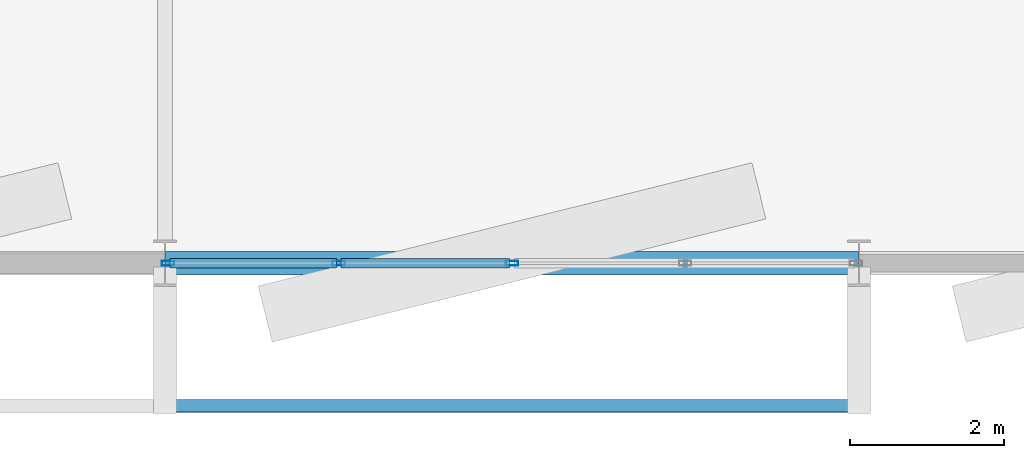
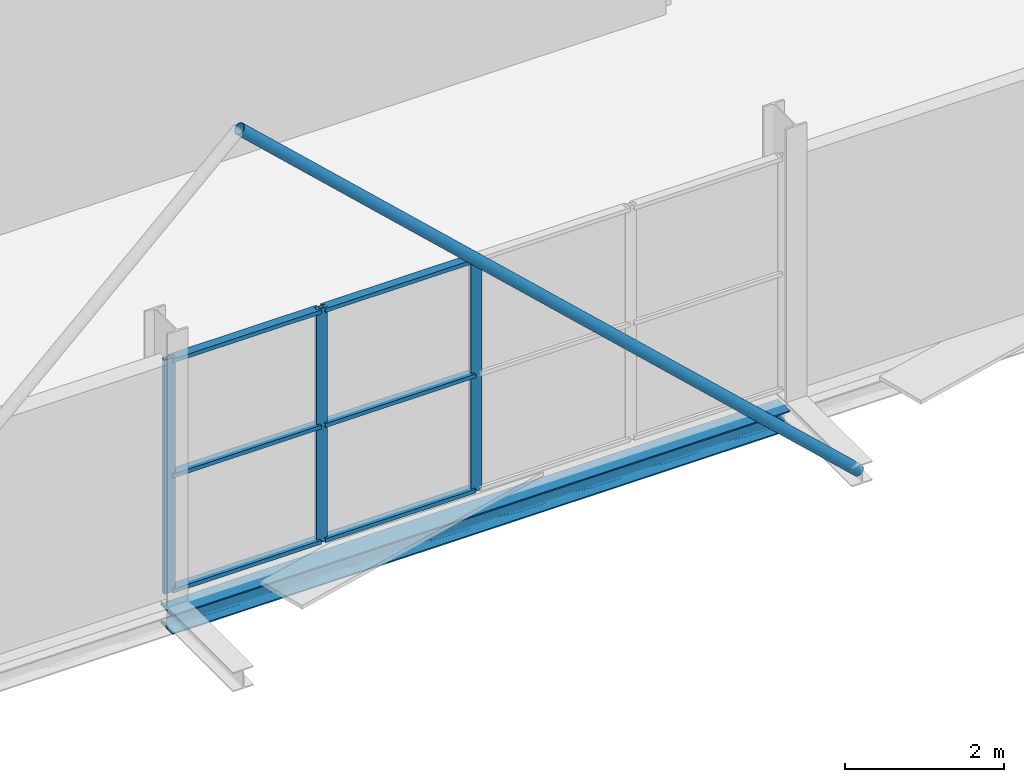
# One storey, part 46 of 103: 10 members, 1 beam, 1 element without a shape of its own.
"""IFC4 building model written with IfcOpenShell, lengths in metres."""

from ifc_helpers import new_model, si_unit, direction, frame, origin, origin_2d, place, context, subcontext, project, spatial, hollow_rectangle, hollow_circle, i_section, extrude, material, layer, layer_set, material_profile, profile_set, type_object, element, aggregate, save


model = new_model("IFC4")

# Units and contexts
model_context = context("Model", 3, precision=1e-05, world=origin(), true_north=direction((0.0, 1.0)))
body_context = subcontext(model_context, "Body", "Model", "MODEL_VIEW")
ifc_project = project(units=[si_unit("LENGTHUNIT", "METRE"), si_unit("AREAUNIT", "SQUARE_METRE"), si_unit("VOLUMEUNIT", "CUBIC_METRE"), si_unit("PLANEANGLEUNIT", "RADIAN"), si_unit("MASSUNIT", "GRAM", prefix="KILO")], contexts=[model_context])

# Site, building, storey
site_placement = place(None, origin())
site = spatial("IfcSite", under=ifc_project, at=site_placement, CompositionType="ELEMENT")
building_placement = place(site_placement, origin())
building = spatial("IfcBuilding", under=site, at=building_placement, Name="Deido Ridge Mobility Hub", CompositionType="ELEMENT")
storey_placement = place(building_placement, frame((0.0, 0.0, 12.60009765625)))
storey = spatial("IfcBuildingStorey", under=building, at=storey_placement, Name="L03", CompositionType="ELEMENT", Elevation=12.60009765625)

# Curtain wall, members
ifc_material_1 = material(Name="Anodised aluminium EN AW-6063 T6", Category="aluminium")
ifc_layer = layer(ifc_material_1, 0.195068359375, Name="Anodised aluminium EN AW-6063 T6")
ifc_layer_set = layer_set([ifc_layer], Name="Anodised aluminium EN AW-6063 T6")
curtain_wall_type = type_object("IfcCurtainWallType", Name="CW-UF-3", PredefinedType="USERDEFINED", material=ifc_layer_set)
curtain_wall_placement = place(storey_placement, origin())
curtain_wall = element("IfcCurtainWall", 1, at=curtain_wall_placement, inside=storey, type_object=curtain_wall_type, Name="Unitised curtain wall CW3", ObjectType="UNITISED FACADE", PredefinedType="USERDEFINED")
ifc_material_profile_1 = material_profile(ifc_material_1, hollow_rectangle(XDim=0.06005859375, YDim=0.159912109375, WallThickness=0.00390625, at=origin_2d()), Name="RHS 60x160x4")
ifc_profile_set_1 = profile_set([ifc_material_profile_1], Name="Anodised aluminium EN AW-6063 T6")
member_type_1 = type_object("IfcMemberType", Name="MEM-MUL-60X160", PredefinedType="MULLION", material=ifc_profile_set_1)
member_1_placement = place(storey_placement, frame((162.03759765625, 0.0, 0.0), z_axis=(0.0, 0.0, 1.0), x_axis=(0.0, 1.0, 0.0)))
member_1 = element("IfcMember", 2, at=member_1_placement, type_object=member_type_1, Name="CW3 mullion 1", PredefinedType="MULLION", context=body_context, shape_type="SweptSolid", body=[
    extrude(hollow_rectangle(XDim=0.06005859375, YDim=0.159912109375, WallThickness=0.00390625, at=origin_2d()), origin(), (0.0, 0.0, 1.0), 3.599853515625),
])
member_2_placement = place(storey_placement, frame((164.25390625, 0.0, 0.0), z_axis=(0.0, 0.0, 1.0), x_axis=(0.0, 1.0, 0.0)))
member_2 = element("IfcMember", 3, at=member_2_placement, type_object=member_type_1, Name="CW3 mullion 2", PredefinedType="MULLION", context=body_context, shape_type="SweptSolid", body=[
    extrude(hollow_rectangle(XDim=0.06005859375, YDim=0.159912109375, WallThickness=0.00390625, at=origin_2d()), origin(), (0.0, 0.0, 1.0), 3.599853515625),
])
member_3_placement = place(storey_placement, frame((166.5, 0.0, 0.0), z_axis=(0.0, 0.0, 1.0), x_axis=(0.0, 1.0, 0.0)))
member_3 = element("IfcMember", 4, at=member_3_placement, type_object=member_type_1, Name="CW3 mullion 3", PredefinedType="MULLION", context=body_context, shape_type="SweptSolid", body=[
    extrude(hollow_rectangle(XDim=0.06005859375, YDim=0.159912109375, WallThickness=0.00390625, at=origin_2d()), origin(), (0.0, 0.0, 1.0), 3.599853515625),
])

# Member
ifc_material_2 = material(Name="Steel S355J2H EN 10210-1", Category="steel")
ifc_material_profile_2 = material_profile(ifc_material_2, hollow_circle(Radius=0.084228515625, WallThickness=0.008056640625, at=origin_2d()), Name="CHS 168.3x8")
ifc_profile_set_2 = profile_set([ifc_material_profile_2], Name="Steel S355J2H EN 10210-1")
member_type_2 = type_object("IfcMemberType", Name="MEM-STR-CHS168", PredefinedType="STRUT", material=ifc_profile_set_2)
member_4_placement = place(storey_placement, frame((171.0, -1.85009765625, -0.150146484375), z_axis=(-0.731049333052, 0.0, 0.682324609438), x_axis=(0.0, -1.0, 0.0)))
element("IfcMember", 5, at=member_4_placement, inside=storey, type_object=member_type_2, Name="Deconstructivist facade diagrid strut SR1", PredefinedType="STRUT", context=body_context, shape_type="SweptSolid", body=[
    extrude(hollow_circle(Radius=0.084228515625, WallThickness=0.008056640625, at=origin_2d()), origin(), (0.0, 0.0, 1.0), 12.31103515625),
])

ifc_material_profile_3 = material_profile(ifc_material_1, hollow_rectangle(XDim=0.125, YDim=0.06005859375, WallThickness=0.00390625, at=origin_2d()), Name="RHS 125x60x4")
ifc_profile_set_3 = profile_set([ifc_material_profile_3], Name="Anodised aluminium EN AW-6063 T6")
member_type_3 = type_object("IfcMemberType", Name="MEM-TRN-125X60", PredefinedType="USERDEFINED", material=ifc_profile_set_3)
member_5_placement = place(storey_placement, frame((162.067626953125, 0.0, 0.02978515625), z_axis=(1.0, 0.0, 0.0), x_axis=(0.0, 1.0, 0.0)))
member_5 = element("IfcMember", 6, at=member_5_placement, type_object=member_type_3, Name="CW3 transom 1.1", ObjectType="TRANSOM", PredefinedType="USERDEFINED", context=body_context, shape_type="SweptSolid", body=[
    extrude(hollow_rectangle(XDim=0.125, YDim=0.06005859375, WallThickness=0.00390625, at=origin_2d()), origin(), (0.0, 0.0, 1.0), 2.15625),
])

member_6_placement = place(storey_placement, frame((162.067626953125, 0.0, 1.7998046875), z_axis=(1.0, 0.0, 0.0), x_axis=(0.0, 1.0, 0.0)))
member_6 = element("IfcMember", 7, at=member_6_placement, type_object=member_type_3, Name="CW3 transom 1.2", ObjectType="TRANSOM", PredefinedType="USERDEFINED", context=body_context, shape_type="SweptSolid", body=[
    extrude(hollow_rectangle(XDim=0.125, YDim=0.06005859375, WallThickness=0.00390625, at=origin_2d()), origin(), (0.0, 0.0, 1.0), 2.15625),
])

member_7_placement = place(storey_placement, frame((162.067626953125, 0.0, 3.56982421875), z_axis=(1.0, 0.0, 0.0), x_axis=(0.0, 1.0, 0.0)))
member_7 = element("IfcMember", 8, at=member_7_placement, type_object=member_type_3, Name="CW3 transom 1.3", ObjectType="TRANSOM", PredefinedType="USERDEFINED", context=body_context, shape_type="SweptSolid", body=[
    extrude(hollow_rectangle(XDim=0.125, YDim=0.06005859375, WallThickness=0.00390625, at=origin_2d()), origin(), (0.0, 0.0, 1.0), 2.15625),
])

member_8_placement = place(storey_placement, frame((164.283935546875, 0.0, 0.02978515625), z_axis=(1.0, 0.0, 0.0), x_axis=(0.0, 1.0, 0.0)))
member_8 = element("IfcMember", 9, at=member_8_placement, type_object=member_type_3, Name="CW3 transom 2.1", ObjectType="TRANSOM", PredefinedType="USERDEFINED", context=body_context, shape_type="SweptSolid", body=[
    extrude(hollow_rectangle(XDim=0.125, YDim=0.06005859375, WallThickness=0.00390625, at=origin_2d()), origin(), (0.0, 0.0, 1.0), 2.18603515625),
])

member_9_placement = place(storey_placement, frame((164.283935546875, 0.0, 1.7998046875), z_axis=(1.0, 0.0, 0.0), x_axis=(0.0, 1.0, 0.0)))
member_9 = element("IfcMember", 10, at=member_9_placement, type_object=member_type_3, Name="CW3 transom 2.2", ObjectType="TRANSOM", PredefinedType="USERDEFINED", context=body_context, shape_type="SweptSolid", body=[
    extrude(hollow_rectangle(XDim=0.125, YDim=0.06005859375, WallThickness=0.00390625, at=origin_2d()), origin(), (0.0, 0.0, 1.0), 2.18603515625),
])

member_10_placement = place(storey_placement, frame((164.283935546875, 0.0, 3.56982421875), z_axis=(1.0, 0.0, 0.0), x_axis=(0.0, 1.0, 0.0)))
member_10 = element("IfcMember", 11, at=member_10_placement, type_object=member_type_3, Name="CW3 transom 2.3", ObjectType="TRANSOM", PredefinedType="USERDEFINED", context=body_context, shape_type="SweptSolid", body=[
    extrude(hollow_rectangle(XDim=0.125, YDim=0.06005859375, WallThickness=0.00390625, at=origin_2d()), origin(), (0.0, 0.0, 1.0), 2.18603515625),
])

aggregate(curtain_wall, [member_1, member_2, member_3, member_5, member_6, member_7, member_8, member_9, member_10])

# Beam
ifc_material_3 = material(Name="Steel S355J2 EN 10025-2", Category="steel")
ifc_material_profile_4 = material_profile(ifc_material_3, i_section(OverallWidth=0.300048828125, OverallDepth=0.300048828125, WebThickness=0.010986328125, FlangeThickness=0.01904296875, FilletRadius=0.027099609375, at=origin_2d()), Name="HEB 300")
ifc_profile_set_4 = profile_set([ifc_material_profile_4], Name="Steel S355J2 EN 10025-2")
beam_type = type_object("IfcBeamType", Name="SPD-HEB300", PredefinedType="SPANDREL", material=ifc_profile_set_4)
beam_placement = place(storey_placement, frame((162.0078125, 0.0, -0.4150390625), z_axis=(1.0, 0.0, 0.0), x_axis=(0.0, 1.0, 0.0)))
element("IfcBeam", 12, at=beam_placement, inside=storey, type_object=beam_type, Name="Floor beam SP1", PredefinedType="SPANDREL", context=body_context, shape_type="SweptSolid", body=[
    extrude(i_section(OverallWidth=0.300048828125, OverallDepth=0.300048828125, WebThickness=0.010986328125, FlangeThickness=0.01904296875, FilletRadius=0.027099609375, at=origin_2d()), origin(), (0.0, 0.0, 1.0), 8.984375),
])

save(model, "model.ifc")
